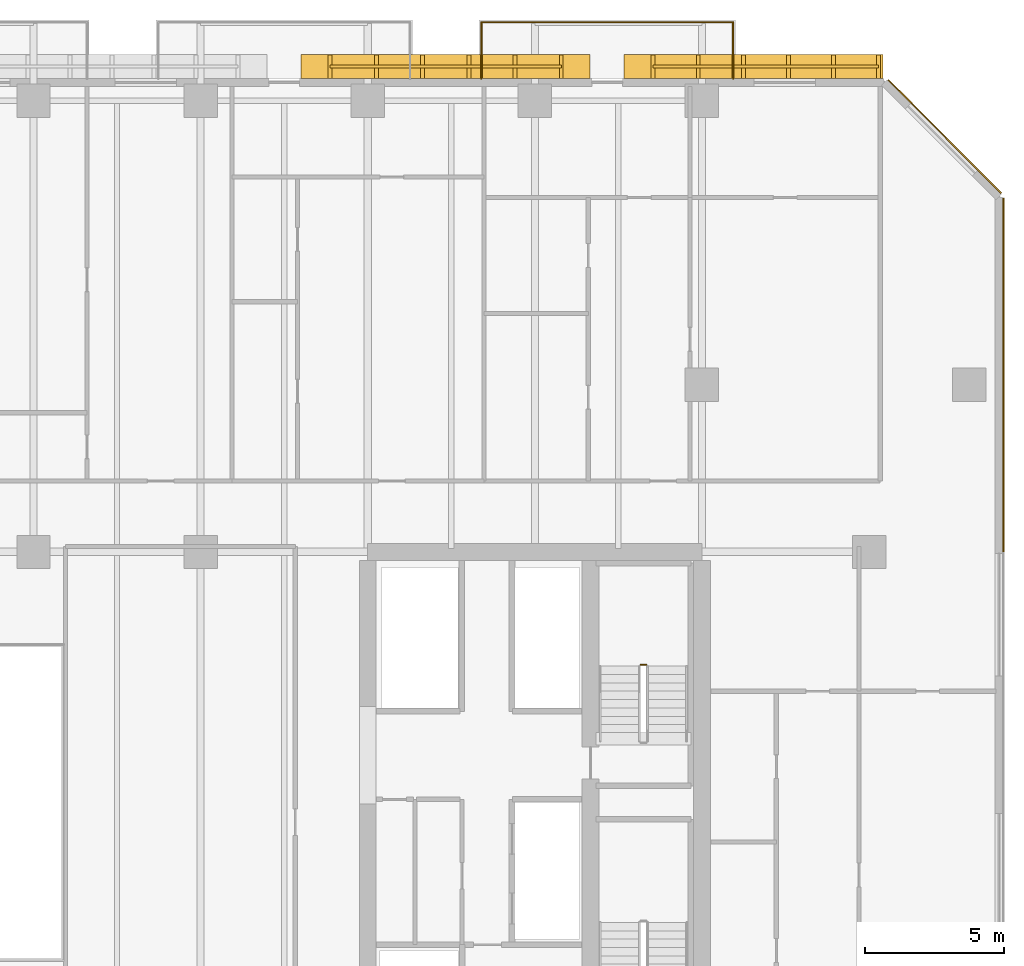
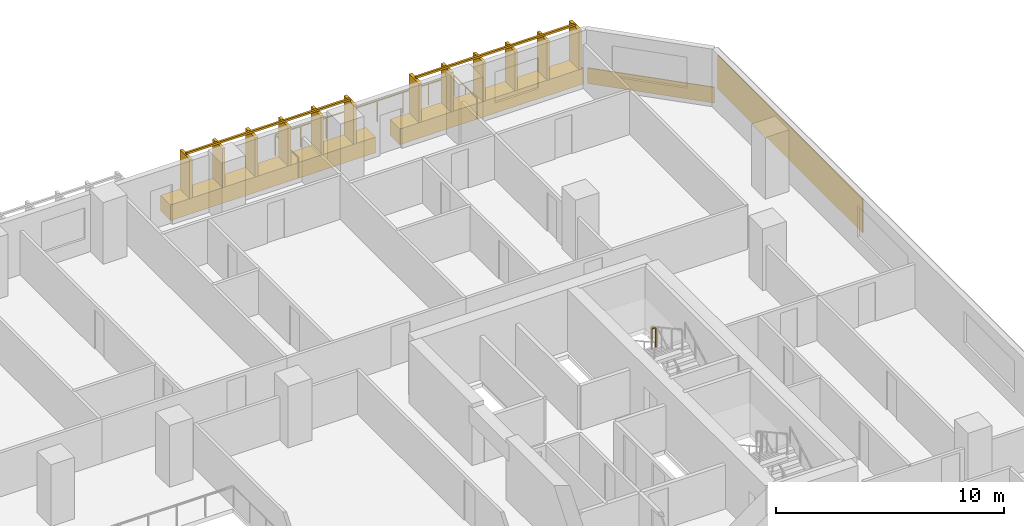
# One storey, part 25 of 25: 4 coverings, 4 railings.
"""IFC4 building model written with IfcOpenShell, lengths in metres."""

from ifc_helpers import new_model, si_unit, direction, frame, origin, origin_2d, place, context, subcontext, project, spatial, rectangle, extrude, material, layer, layer_set, type_object, element, save


model = new_model("IFC4")

# Units and contexts
model_context = context("Model", 3, precision=1e-05, world=origin(), true_north=direction((0.0, 1.0)))
body_context = subcontext(model_context, "Body", "Model", "MODEL_VIEW")
ifc_project = project(units=[si_unit("LENGTHUNIT", "METRE"), si_unit("AREAUNIT", "SQUARE_METRE"), si_unit("VOLUMEUNIT", "CUBIC_METRE"), si_unit("PLANEANGLEUNIT", "RADIAN"), si_unit("MASSUNIT", "GRAM", prefix="KILO")], contexts=[model_context])

# Site, building, storey
site_placement = place(None, origin())
site = spatial("IfcSite", under=ifc_project, at=site_placement, CompositionType="ELEMENT")
building_placement = place(site_placement, origin())
building = spatial("IfcBuilding", under=site, at=building_placement, Name="Tanjung Sevakor Pilgrim Tower", CompositionType="ELEMENT")
storey_placement = place(building_placement, frame((0.0, 0.0, 42.239990234375)))
storey = spatial("IfcBuildingStorey", under=building, at=storey_placement, Name="L11", CompositionType="ELEMENT", Elevation=42.239990234375)

# Coverings
ifc_material_1 = material(Name="Reconstructed Limestone Cladding", Category="masonry")
ifc_layer = layer(ifc_material_1, 0.044921875)
ifc_layer_set = layer_set([ifc_layer], Name="COV-CLAD-LIMESTONE")
covering_type = type_object("IfcCoveringType", Name="COV-CLAD-LIMESTONE", PredefinedType="CLADDING", material=ifc_layer_set)
covering_1_placement = place(storey_placement, frame((100.822509765625, 48.950927734375, 0.85009765625), z_axis=(0.0, 0.0, 1.0), x_axis=(0.0, 1.0, 0.0)))
element("IfcCovering", 1, at=covering_1_placement, inside=storey, type_object=covering_type, Name="L11 Warm Limestone Pier Panel EW-L11-MAIN-7-3", PredefinedType="CLADDING", context=body_context, shape_type="SweptSolid", body=[
    extrude(rectangle(XDim=12.701904296875, YDim=0.044921875, at=origin_2d()), origin(), (0.0, 0.0, 1.0), 1.81005859375),
])
covering_2_placement = place(storey_placement, frame((98.7158203125, 57.515869140625, 0.009765625), z_axis=(0.0, 0.0, 1.0), x_axis=(-0.707106781187, 0.707106781187, 0.0)))
element("IfcCovering", 2, at=covering_2_placement, inside=storey, type_object=covering_type, Name="L11 Warm Limestone Sill Spandrel EW-CHM-L11-MAIN-7-1", PredefinedType="CLADDING", context=body_context, shape_type="SweptSolid", body=[
    extrude(rectangle(XDim=5.74365234375, YDim=0.044921875, at=origin_2d()), origin(), (0.0, 0.0, 1.0), 0.840087890625),
])
covering_3_placement = place(storey_placement, frame((91.85595703125, 60.030029296875, 0.009765625), z_axis=(0.0, 0.0, 1.0), x_axis=(-1.0, 0.0, 0.0)))
element("IfcCovering", 3, at=covering_3_placement, inside=storey, type_object=covering_type, Name="L11 Warm Limestone Sill Spandrel EW-L11-MAIN-9-1", PredefinedType="CLADDING", context=body_context, shape_type="SweptSolid", body=[
    extrude(rectangle(XDim=9.2919921875, YDim=0.860107421875, at=origin_2d()), origin(), (0.0, 0.0, 1.0), 0.840087890625),
])
covering_4_placement = place(storey_placement, frame((80.800048828125, 60.030029296875, 0.009765625), z_axis=(0.0, 0.0, 1.0), x_axis=(-1.0, 0.0, 0.0)))
element("IfcCovering", 4, at=covering_4_placement, inside=storey, type_object=covering_type, Name="L11 Warm Limestone Sill Spandrel EW-L11-MAIN-9-2", PredefinedType="CLADDING", context=body_context, shape_type="SweptSolid", body=[
    extrude(rectangle(XDim=10.3798828125, YDim=0.860107421875, at=origin_2d()), origin(), (0.0, 0.0, 1.0), 0.840087890625),
])

# Railings
ifc_material_2 = material(Name="Laminated Glass and Aluminium", Category="aluminium")
railing_type_1 = type_object("IfcRailingType", Name="RL-BAL-BALUST", PredefinedType="BALUSTRADE", material=ifc_material_2)
railing_1_placement = place(storey_placement, frame((82.080078125, 59.60009765625, 0.0)))
element("IfcRailing", 5, at=railing_1_placement, inside=storey, type_object=railing_type_1, Name="L11 Loggia Balustrade MAIN-N4", PredefinedType="BALUSTRADE", context=body_context, shape_type="SweptSolid", body=[
    extrude(rectangle(XDim=0.0479, YDim=0.0479), frame((0.0, 0.0, 1.1259765625), z_axis=(0.0, 1.0, 0.0), x_axis=(-1.0, 0.0, 0.0)), (0.0, 0.0, 1.0), 2.02001953125),
    extrude(rectangle(XDim=0.0479, YDim=0.0479), frame((0.0, 2.02001953125, 1.1259765625), z_axis=(1.0, 0.0, 0.0), x_axis=(0.0, 1.0, 0.0)), (0.0, 0.0, 1.0), 9.0400390625),
    extrude(rectangle(XDim=0.0479, YDim=0.0479), frame((9.0400390625, 2.02001953125, 1.1259765625), z_axis=(0.0, -1.0, 0.0), x_axis=(1.0, 0.0, 0.0)), (0.0, 0.0, 1.0), 2.02001953125),
    extrude(rectangle(XDim=0.042, YDim=0.042), origin(), (0.0, 0.0, 1.0), 1.101806640625),
    extrude(rectangle(XDim=0.042, YDim=0.042), frame((0.0, 1.010009765625, 0.0)), (0.0, 0.0, 1.0), 1.101806640625),
    extrude(rectangle(XDim=0.042, YDim=0.042), frame((0.0, 2.02001953125, 0.0)), (0.0, 0.0, 1.0), 1.101806640625),
    extrude(rectangle(XDim=0.042, YDim=0.042), frame((1.29150390625, 2.02001953125, 0.0)), (0.0, 0.0, 1.0), 1.101806640625),
    extrude(rectangle(XDim=0.042, YDim=0.042), frame((2.582763671875, 2.02001953125, 0.0)), (0.0, 0.0, 1.0), 1.101806640625),
    extrude(rectangle(XDim=0.042, YDim=0.042), frame((3.874267578125, 2.02001953125, 0.0)), (0.0, 0.0, 1.0), 1.101806640625),
    extrude(rectangle(XDim=0.042, YDim=0.042), frame((5.165771484375, 2.02001953125, 0.0)), (0.0, 0.0, 1.0), 1.101806640625),
    extrude(rectangle(XDim=0.042, YDim=0.042), frame((6.457275390625, 2.02001953125, 0.0)), (0.0, 0.0, 1.0), 1.101806640625),
    extrude(rectangle(XDim=0.042, YDim=0.042), frame((7.74853515625, 2.02001953125, 0.0)), (0.0, 0.0, 1.0), 1.101806640625),
    extrude(rectangle(XDim=0.042, YDim=0.042), frame((9.0400390625, 2.02001953125, 0.0)), (0.0, 0.0, 1.0), 1.101806640625),
    extrude(rectangle(XDim=0.042, YDim=0.042), frame((9.0400390625, 1.010009765625, 0.0)), (0.0, 0.0, 1.0), 1.101806640625),
    extrude(rectangle(XDim=0.042, YDim=0.042), frame((9.0400390625, 0.0, 0.0)), (0.0, 0.0, 1.0), 1.101806640625),
])
ifc_material_3 = material(Name="Anodised Bronze Aluminium 6063-T6", Category="aluminium")
railing_type_2 = type_object("IfcRailingType", Name="RL-FIN-SCREEN", PredefinedType="BALUSTRADE", material=ifc_material_3)
railing_2_placement = place(storey_placement, frame((96.342041015625, 60.02490234375, 0.840087890625)))
element("IfcRailing", 6, at=railing_2_placement, inside=storey, type_object=railing_type_2, Name="L11 Vertical Bronze-Gold Solar Fin Screen FNSCR-EW-L11-MAIN-9-1", PredefinedType="BALUSTRADE", context=body_context, shape_type="SweptSolid", body=[
    extrude(rectangle(XDim=0.105, YDim=0.105), frame((0.0, 0.0, 2.157470703125), z_axis=(-1.0, 0.0, 0.0), x_axis=(0.0, -1.0, 0.0)), (0.0, 0.0, 1.0), 8.092041015625),
    extrude(rectangle(XDim=0.14, YDim=0.85), origin(), (0.0, 0.0, 1.0), 2.10498046875),
    extrude(rectangle(XDim=0.14, YDim=0.85), frame((-1.618408203125, 0.0, 0.0)), (0.0, 0.0, 1.0), 2.10498046875),
    extrude(rectangle(XDim=0.14, YDim=0.85), frame((-3.23681640625, 0.0, 0.0)), (0.0, 0.0, 1.0), 2.10498046875),
    extrude(rectangle(XDim=0.14, YDim=0.85), frame((-4.855224609375, 0.0, 0.0)), (0.0, 0.0, 1.0), 2.10498046875),
    extrude(rectangle(XDim=0.14, YDim=0.85), frame((-6.4736328125, 0.0, 0.0)), (0.0, 0.0, 1.0), 2.10498046875),
    extrude(rectangle(XDim=0.14, YDim=0.85), frame((-8.092041015625, 0.0, 0.0)), (0.0, 0.0, 1.0), 2.10498046875),
])
railing_3_placement = place(storey_placement, frame((84.949951171875, 60.02490234375, 0.840087890625)))
element("IfcRailing", 7, at=railing_3_placement, inside=storey, type_object=railing_type_2, Name="L11 Vertical Bronze-Gold Solar Fin Screen FNSCR-EW-L11-MAIN-9-2", PredefinedType="BALUSTRADE", context=body_context, shape_type="SweptSolid", body=[
    extrude(rectangle(XDim=0.105, YDim=0.105), frame((0.0, 0.0, 2.157470703125), z_axis=(-1.0, 0.0, 0.0), x_axis=(0.0, -1.0, 0.0)), (0.0, 0.0, 1.0), 8.300048828125),
    extrude(rectangle(XDim=0.14, YDim=0.85), origin(), (0.0, 0.0, 1.0), 2.10498046875),
    extrude(rectangle(XDim=0.14, YDim=0.85), frame((-1.659912109375, 0.0, 0.0)), (0.0, 0.0, 1.0), 2.10498046875),
    extrude(rectangle(XDim=0.14, YDim=0.85), frame((-3.320068359375, 0.0, 0.0)), (0.0, 0.0, 1.0), 2.10498046875),
    extrude(rectangle(XDim=0.14, YDim=0.85), frame((-4.97998046875, 0.0, 0.0)), (0.0, 0.0, 1.0), 2.10498046875),
    extrude(rectangle(XDim=0.14, YDim=0.85), frame((-6.64013671875, 0.0, 0.0)), (0.0, 0.0, 1.0), 2.10498046875),
    extrude(rectangle(XDim=0.14, YDim=0.85), frame((-8.300048828125, 0.0, 0.0)), (0.0, 0.0, 1.0), 2.10498046875),
])
ifc_material_4 = material(Name="Steel S355J2", Category="steel")
railing_type_3 = type_object("IfcRailingType", Name="RL-STAIR-GUARD", PredefinedType="GUARDRAIL", material=ifc_material_4)
railing_4_placement = place(storey_placement, frame((88.0, 38.550048828125, 1.64990234375)))
element("IfcRailing", 8, at=railing_4_placement, inside=storey, type_object=railing_type_3, Name="L11 TS-E2 stair guard 2", PredefinedType="GUARDRAIL", context=body_context, shape_type="SweptSolid", body=[
    extrude(rectangle(XDim=0.0479, YDim=0.0479), frame((0.0, 0.0, 1.076171875), z_axis=(-1.0, 0.0, 0.0), x_axis=(0.0, -1.0, 0.0)), (0.0, 0.0, 1.0), 0.199951171875),
    extrude(rectangle(XDim=0.042, YDim=0.042), origin(), (0.0, 0.0, 1.0), 1.052001953125),
    extrude(rectangle(XDim=0.042, YDim=0.042), frame((-0.199951171875, 0.0, 0.0)), (0.0, 0.0, 1.0), 1.052001953125),
])

save(model, "model.ifc")
